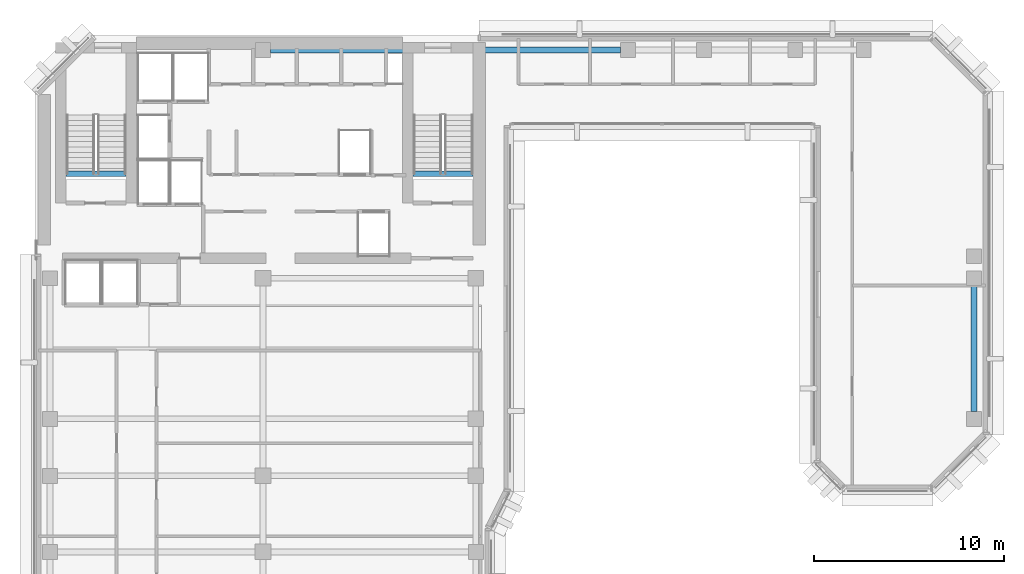
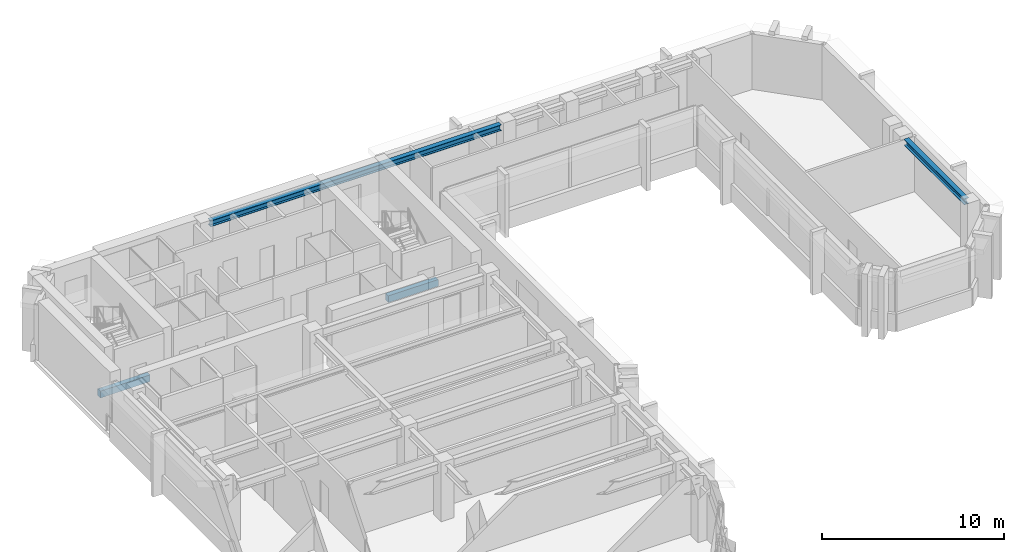
# One storey, part 3 of 12: 4 beams.
"""IFC4 building model written with IfcOpenShell, lengths in metres."""

from ifc_helpers import new_model, si_unit, direction, frame, origin, origin_2d, place, context, subcontext, project, spatial, rectangle, i_section, extrude, material, material_profile, profile_set, type_object, element, save


model = new_model("IFC4")

# Units and contexts
model_context = context("Model", 3, precision=1e-05, world=origin(), true_north=direction((0.0, 1.0)))
body_context = subcontext(model_context, "Body", "Model", "MODEL_VIEW")
ifc_project = project(units=[si_unit("LENGTHUNIT", "METRE"), si_unit("AREAUNIT", "SQUARE_METRE"), si_unit("VOLUMEUNIT", "CUBIC_METRE"), si_unit("PLANEANGLEUNIT", "RADIAN"), si_unit("MASSUNIT", "GRAM", prefix="KILO")], contexts=[model_context])

# Site, building, storey
site_placement = place(None, origin())
site = spatial("IfcSite", under=ifc_project, at=site_placement, CompositionType="ELEMENT")
building_placement = place(site_placement, origin())
building = spatial("IfcBuilding", under=site, at=building_placement, Name="Kefirva Bronze Tower", CompositionType="ELEMENT")
storey_placement = place(building_placement, frame((0.0, 0.0, 235.6201171875)))
storey = spatial("IfcBuildingStorey", under=building, at=storey_placement, Name="L57", CompositionType="ELEMENT", Elevation=235.6201171875)

# Beams
ifc_material_1 = material(Name="Concrete C50/60", Category="concrete")
ifc_material_profile_1 = material_profile(ifc_material_1, rectangle(XDim=0.300048828125, YDim=0.449951171875, at=origin_2d()), Name="RC 300x450")
ifc_profile_set_1 = profile_set([ifc_material_profile_1], Name="Concrete C50/60")
beam_type_1 = type_object("IfcBeamType", Name="RC Stair Trimmer Beam 300x450", PredefinedType="BEAM", material=ifc_profile_set_1)
beam_1_placement = place(storey_placement, frame((1.64501953125, 38.699951171875, -0.22509765625), z_axis=(1.0, 0.0, 0.0), x_axis=(0.0, 1.0, 0.0)))
element("IfcBeam", 1, at=beam_1_placement, inside=storey, type_object=beam_type_1, Name="L57 Stair 1 Landing Trimmer Beam", PredefinedType="BEAM", context=body_context, shape_type="SweptSolid", body=[
    extrude(rectangle(XDim=0.300048828125, YDim=0.449951171875, at=origin_2d()), origin(), (0.0, 0.0, 1.0), 3.14990234375),
])
beam_2_placement = place(storey_placement, frame((19.89501953125, 38.699951171875, -0.22509765625), z_axis=(1.0, 0.0, 0.0), x_axis=(0.0, 1.0, 0.0)))
element("IfcBeam", 2, at=beam_2_placement, inside=storey, type_object=beam_type_1, Name="L57 Stair 2 Landing Trimmer Beam", PredefinedType="BEAM", context=body_context, shape_type="SweptSolid", body=[
    extrude(rectangle(XDim=0.300048828125, YDim=0.449951171875, at=origin_2d()), origin(), (0.0, 0.0, 1.0), 3.159912109375),
])
ifc_material_2 = material(Name="Steel S355", Category="steel")
ifc_material_profile_2 = material_profile(ifc_material_2, i_section(OverallWidth=0.300048828125, OverallDepth=0.39990234375, WebThickness=0.013427734375, FlangeThickness=0.02392578125, at=origin_2d()), Name="HEB 400")
ifc_profile_set_2 = profile_set([ifc_material_profile_2], Name="Steel S355")
beam_type_2 = type_object("IfcBeamType", Name="Steel Spandrel HEB 400 Ext", PredefinedType="SPANDREL", material=ifc_profile_set_2)
beam_3_placement = place(storey_placement, frame((12.389892578125, 45.199951171875, 3.509765625), z_axis=(1.0, 0.0, 0.0), x_axis=(0.0, 1.0, 0.0)))
element("IfcBeam", 3, at=beam_3_placement, inside=storey, type_object=beam_type_2, Name="L57 BM-L57-EW-12-452", PredefinedType="SPANDREL", context=body_context, shape_type="SweptSolid", body=[
    extrude(i_section(OverallWidth=0.300048828125, OverallDepth=0.39990234375, WebThickness=0.013427734375, FlangeThickness=0.02392578125, at=origin_2d()), origin(), (0.0, 0.0, 1.0), 18.420166015625),
])
beam_4_placement = place(storey_placement, frame((49.39990234375, 26.18994140625, 3.509765625), z_axis=(0.0, 1.0, 0.0), x_axis=(-1.0, 0.0, 0.0)))
element("IfcBeam", 4, at=beam_4_placement, inside=storey, type_object=beam_type_2, Name="L57 BM-L57-NS-494-25", PredefinedType="SPANDREL", context=body_context, shape_type="SweptSolid", body=[
    extrude(i_section(OverallWidth=0.300048828125, OverallDepth=0.39990234375, WebThickness=0.013427734375, FlangeThickness=0.02392578125, at=origin_2d()), origin(), (0.0, 0.0, 1.0), 6.6201171875),
])

save(model, "model.ifc")
